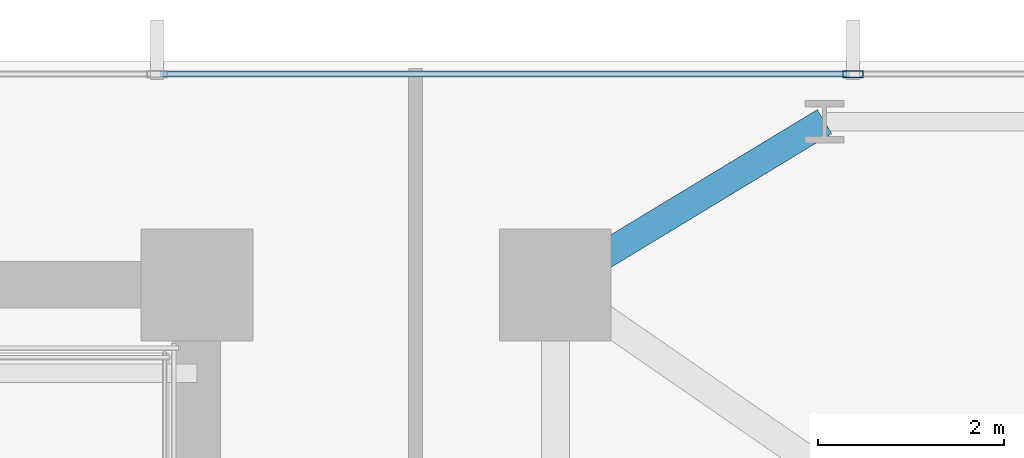
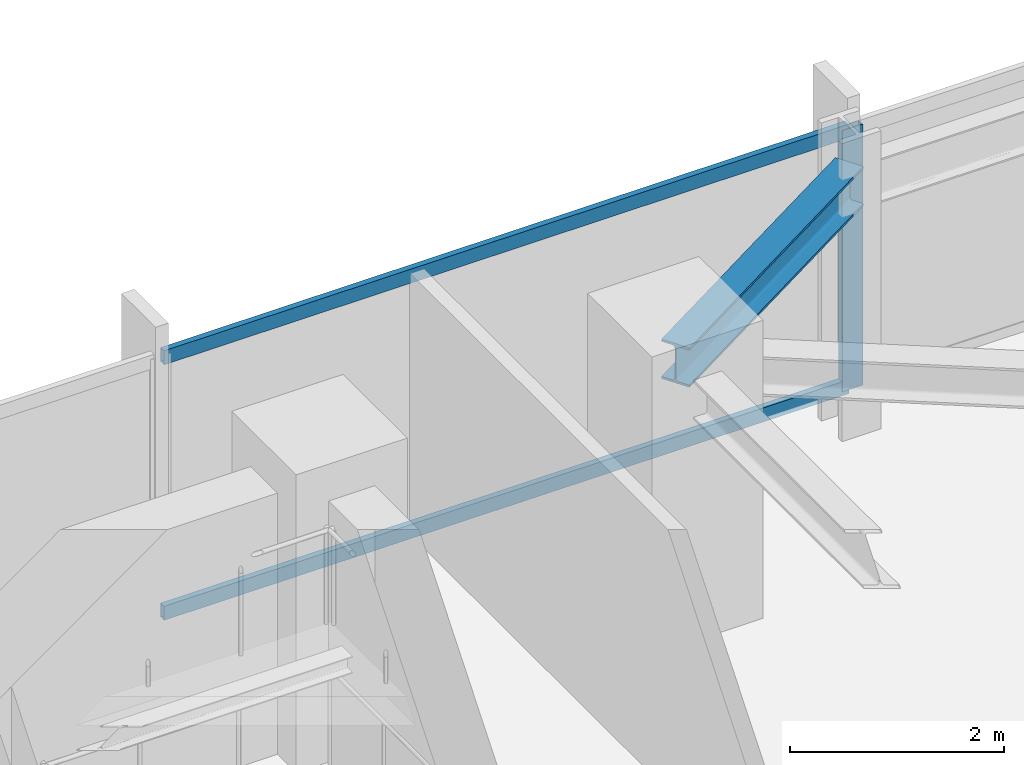
# One storey, part 20 of 32: 3 members, 1 beam, 1 element without a shape of its own.
"""IFC4 building model written with IfcOpenShell, lengths in metres."""

import ifcopenshell
import ifcopenshell.guid

model = None  # the IFC model being written
_history = None  # IfcOwnerHistory: only IFC2X3 demands one
_inside = {}  # id of a spatial element -> (the spatial element, [elements in it])
_under = {}  # id of a project, library or spatial element -> (it, [spatial elements below it])
_declared = {}  # id of a project -> (the project, [libraries it declares])
_typed = {}  # id of a type object -> (the type object, [elements of that type])
_made_of = {}  # id of a material, layer set ... -> (it, [elements and type objects made of it])


def new_model(schema):
    """Start an empty IFC model of exactly this schema.

    Asked for "IFC4X3", IfcOpenShell would pick the latest addendum, in which some entities
    have other attributes; the version numbers below select the first issue.
    IFC2X3 requires an IfcOwnerHistory on every rooted entity: one is made here for all.
    """
    global model, _history
    if schema == "IFC4X3":
        model = ifcopenshell.file(schema_version=(4, 3, 0, 0))
    else:
        model = ifcopenshell.file(schema=schema)
    _inside.clear()
    _under.clear()
    _declared.clear()
    _typed.clear()
    _made_of.clear()
    _history = None
    if model.schema == "IFC2X3":
        org = make("IfcOrganization", Name="unknown")
        user = make(
            "IfcPersonAndOrganization",
            ThePerson=make("IfcPerson", FamilyName="unknown"),
            TheOrganization=org,
        )
        app = make(
            "IfcApplication",
            ApplicationDeveloper=org,
            Version="unknown",
            ApplicationFullName="unknown",
            ApplicationIdentifier="unknown",
        )
        _history = make(
            "IfcOwnerHistory",
            OwningUser=user,
            OwningApplication=app,
            ChangeAction="ADDED",
            CreationDate=0,
        )
    return model


def make(cls, **values):
    """One entity of the class cls with the attributes given. An attribute that is None is left unset."""
    return model.create_entity(
        cls, **{name: value for name, value in values.items() if value is not None}
    )


def rooted(cls, **values):
    """An entity with a GlobalId (a new one), such as an element, a storey or a relation."""
    return make(cls, GlobalId=ifcopenshell.guid.new(), OwnerHistory=_history, **values)


def si_unit(unit_type, name, prefix=None):
    """IfcSIUnit, for example si_unit("LENGTHUNIT", "METRE", prefix="MILLI")."""
    return make("IfcSIUnit", UnitType=unit_type, Prefix=prefix, Name=name)


def assignment(units):
    """IfcUnitAssignment: the units of a project."""
    return None if units is None else make("IfcUnitAssignment", Units=units)


def point(xyz):
    """IfcCartesianPoint."""
    return None if xyz is None else make("IfcCartesianPoint", Coordinates=xyz)


def direction(xyz):
    """IfcDirection."""
    return None if xyz is None else make("IfcDirection", DirectionRatios=xyz)


def frame(location, z_axis=None, x_axis=None):
    """IfcAxis2Placement3D, a coordinate frame: its origin and axes. An axis left out is left unset."""
    return make(
        "IfcAxis2Placement3D",
        Location=point(location),
        Axis=direction(z_axis),
        RefDirection=direction(x_axis),
    )


def frame_2d(location, x_axis=None):
    """IfcAxis2Placement2D, a coordinate frame in the plane: its origin and x axis."""
    return make(
        "IfcAxis2Placement2D", Location=point(location), RefDirection=direction(x_axis)
    )


def origin():
    """The frame at (0, 0, 0) with its axes left unset."""
    return frame((0.0, 0.0, 0.0))


def origin_2d():
    """The frame at (0, 0) in the plane with its x axis left unset."""
    return frame_2d((0.0, 0.0))


def place(relative_to, where):
    """IfcLocalPlacement: puts the frame where relative to a parent placement (None: the world)."""
    return make(
        "IfcLocalPlacement", PlacementRelTo=relative_to, RelativePlacement=where
    )


def context(
    kind, dimensions, precision=None, world=None, true_north=None, identifier=None
):
    """IfcGeometricRepresentationContext, for example the 3D "Model" context."""
    return make(
        "IfcGeometricRepresentationContext",
        ContextIdentifier=identifier,
        ContextType=kind,
        CoordinateSpaceDimension=dimensions,
        Precision=precision,
        WorldCoordinateSystem=world,
        TrueNorth=true_north,
    )


def subcontext(parent, identifier, kind, view, scale=None):
    """IfcGeometricRepresentationSubContext, for example "Body" below "Model"."""
    return make(
        "IfcGeometricRepresentationSubContext",
        ContextIdentifier=identifier,
        ContextType=kind,
        ParentContext=parent,
        TargetScale=scale,
        TargetView=view,
    )


def project(units=None, contexts=None):
    """IfcProject with its units and contexts."""
    return rooted(
        "IfcProject",
        Name="project",
        RepresentationContexts=contexts,
        UnitsInContext=assignment(units),
    )


def spatial(cls, under=None, at=None, **own):
    """A site, building, storey or space (cls), placed at a placement, below another one or the project."""
    s = rooted(cls, ObjectPlacement=at, **own)
    if under is not None:
        _under.setdefault(under.id(), (under, []))[1].append(s)
    return s


def profile(cls, at=None, kind="AREA", **sizes):
    """A parametric profile (cls). Its sizes go by their IFC names, for example OverallWidth=200.0."""
    return make(cls, ProfileType=kind, Position=at, **sizes)


def hollow_rectangle(**sizes):
    """IfcRectangleHollowProfileDef."""
    return profile("IfcRectangleHollowProfileDef", **sizes)


def i_section(**sizes):
    """IfcIShapeProfileDef."""
    return profile("IfcIShapeProfileDef", **sizes)


def extrude(swept, where, along, depth):
    """IfcExtrudedAreaSolid: the profile swept, set in the frame where, extruded along a direction by depth."""
    return make(
        "IfcExtrudedAreaSolid",
        SweptArea=swept,
        Position=where,
        ExtrudedDirection=direction(along),
        Depth=depth,
    )


def shape(context_of_items, identifier, shape_type, items):
    """IfcShapeRepresentation: the items that make up one representation, for example the "Body"."""
    return make(
        "IfcShapeRepresentation",
        ContextOfItems=context_of_items,
        RepresentationIdentifier=identifier,
        RepresentationType=shape_type,
        Items=items,
    )


def material(Name=None, Category=None):
    """IfcMaterial."""
    return make("IfcMaterial", Name=Name, Category=Category)


def material_profile(
    of_material, cross_section, Name=None, Category=None, Priority=None
):
    """IfcMaterialProfile: a cross section and its material."""
    return make(
        "IfcMaterialProfile",
        Name=Name,
        Material=of_material,
        Profile=cross_section,
        Priority=Priority,
        Category=Category,
    )


def profile_set(profiles, Name=None, composite=None):
    """IfcMaterialProfileSet."""
    return make(
        "IfcMaterialProfileSet",
        Name=Name,
        MaterialProfiles=profiles,
        CompositeProfile=composite,
    )


def made_of(thing, what):
    """Note that an element or type object is made of a material, layer set ...; save() writes the relation."""
    if what is not None:
        _made_of.setdefault(what.id(), (what, []))[1].append(thing)
    return thing


def type_object(cls, material=None, **own):
    """A type object (cls), such as IfcWallType, which elements share."""
    return made_of(rooted(cls, **own), material)


def element(
    cls,
    number,
    at=None,
    inside=None,
    cuts=None,
    type_object=None,
    material=None,
    context=None,
    identifier="Body",
    shape_type=None,
    held_by="IfcProductDefinitionShape",
    body=None,
    shapes=None,
    **own,
):
    """One element of the class cls, such as IfcWall. Its Tag is "e" and its number.

    at: its placement. inside: the storey or other place that contains it. cuts: it is an
    opening in that element (IfcRelVoidsElement). A single representation is given by context,
    identifier, shape_type and body (its items); several are given by shapes. held_by: the class
    of the entity that holds the representations. save() writes the other relations.
    """
    e = rooted(cls, Tag="e%d" % number, ObjectPlacement=at, **own)
    if body is not None:
        shapes = [shape(context, identifier, shape_type, body)]
    if shapes is not None:
        e.Representation = make(held_by, Representations=shapes)
    if inside is not None:
        _inside.setdefault(inside.id(), (inside, []))[1].append(e)
    if cuts is not None:
        rooted(
            "IfcRelVoidsElement", RelatingBuildingElement=cuts, RelatedOpeningElement=e
        )
    if type_object is not None:
        _typed.setdefault(type_object.id(), (type_object, []))[1].append(e)
    return made_of(e, material)


def aggregate(whole, parts):
    """IfcRelAggregates: a whole, such as a stair, and the parts it consists of."""
    return rooted("IfcRelAggregates", RelatingObject=whole, RelatedObjects=parts)


def save(model, path):
    """Write the relations noted so far, then the file.

    IfcRelAggregates (storeys below a building ...), IfcRelContainedInSpatialStructure (elements
    in a storey), IfcRelDefinesByType, IfcRelAssociatesMaterial and IfcRelDeclares: one each for
    every whole, place, type object, material and project.
    """
    for whole, parts in _under.values():
        aggregate(whole, parts)
    for where, things in _inside.values():
        rooted(
            "IfcRelContainedInSpatialStructure",
            RelatedElements=things,
            RelatingStructure=where,
        )
    for kind, things in _typed.values():
        rooted("IfcRelDefinesByType", RelatedObjects=things, RelatingType=kind)
    for what, things in _made_of.values():
        rooted("IfcRelAssociatesMaterial", RelatedObjects=things, RelatingMaterial=what)
    for by, libraries in _declared.values():
        rooted("IfcRelDeclares", RelatingContext=by, RelatedDefinitions=libraries)
    model.write(path)


model = new_model("IFC4")

# Units and contexts
model_context = context("Model", 3, precision=1e-05, world=origin(), true_north=direction((0.0, 1.0)))
body_context = subcontext(model_context, "Body", "Model", "MODEL_VIEW")
ifc_project = project(units=[si_unit("LENGTHUNIT", "METRE"), si_unit("AREAUNIT", "SQUARE_METRE"), si_unit("VOLUMEUNIT", "CUBIC_METRE"), si_unit("PLANEANGLEUNIT", "RADIAN"), si_unit("MASSUNIT", "GRAM", prefix="KILO")], contexts=[model_context])

# Site, building, storey
site_placement = place(None, origin())
site = spatial("IfcSite", under=ifc_project, at=site_placement, CompositionType="ELEMENT")
building_placement = place(site_placement, origin())
building = spatial("IfcBuilding", under=site, at=building_placement, Name="Yelkora Congress Tower", CompositionType="ELEMENT")
storey_placement = place(building_placement, frame((0.0, 0.0, 74.60009765625)))
storey = spatial("IfcBuildingStorey", under=building, at=storey_placement, Name="L19", CompositionType="ELEMENT", Elevation=74.60009765625)

# Beam
ifc_material_1 = material(Name="Steel S355J2", Category="steel")
ifc_material_profile_1 = material_profile(ifc_material_1, i_section(OverallWidth=0.300048828125, OverallDepth=0.449951171875, WebThickness=0.013916015625, FlangeThickness=0.02587890625, FilletRadius=0.027099609375, at=origin_2d()), Name="HEB 450")
ifc_profile_set_1 = profile_set([ifc_material_profile_1], Name="Steel S355J2")
beam_type = type_object("IfcBeamType", Name="BM-GIRD-HEB450", PredefinedType="BEAM", material=ifc_profile_set_1)
beam_placement = place(storey_placement, frame((60.487548828125, 47.949951171875, 2.7548828125), z_axis=(-0.855193946581, -0.518308126244, 0.0), x_axis=(0.518308126244, -0.855193946581, 0.0)))
element("IfcBeam", 1, at=beam_placement, inside=storey, type_object=beam_type, Name="L19 Primary Frame Girder N08", PredefinedType="BEAM", context=body_context, shape_type="SweptSolid", body=[
    extrude(i_section(OverallWidth=0.300048828125, OverallDepth=0.449951171875, WebThickness=0.013916015625, FlangeThickness=0.02587890625, FilletRadius=0.027099609375, at=origin_2d()), origin(), (0.0, 0.0, 1.0), 3.37646484375),
])

# Curtain wall, members
ifc_material_2 = material(Name="Anodised aluminium and insulated glass", Category="aluminium")
curtain_wall_type = type_object("IfcCurtainWallType", Name="CW-SYS-B1", PredefinedType="NOTDEFINED", material=ifc_material_2)
curtain_wall_placement = place(storey_placement, origin())
curtain_wall = element("IfcCurtainWall", 2, at=curtain_wall_placement, inside=storey, type_object=curtain_wall_type, Name="L19 Unitised Curtain Wall 10", PredefinedType="NOTDEFINED")
ifc_material_3 = material(Name="Anodised aluminium 6063-T6", Category="aluminium")
ifc_material_profile_2 = material_profile(ifc_material_3, hollow_rectangle(XDim=0.074951171875, YDim=0.219970703125, WallThickness=0.0048828125, at=origin_2d()), Name="ALU 75x220x5")
ifc_profile_set_2 = profile_set([ifc_material_profile_2], Name="Anodised aluminium 6063-T6")
member_type_1 = type_object("IfcMemberType", Name="MEM-ML-B1", PredefinedType="MULLION", material=ifc_profile_set_2)
member_1_placement = place(storey_placement, frame((60.794921875, 48.4599609375, 0.0), z_axis=(0.0, 0.0, 1.0), x_axis=(0.0, 1.0, 0.0)))
member_1 = element("IfcMember", 3, at=member_1_placement, type_object=member_type_1, Name="CW-B1 mullion 8", PredefinedType="MULLION", context=body_context, shape_type="SweptSolid", body=[
    extrude(hollow_rectangle(XDim=0.074951171875, YDim=0.219970703125, WallThickness=0.0048828125, at=origin_2d()), origin(), (0.0, 0.0, 1.0), 2.97998046875),
])
ifc_material_profile_3 = material_profile(ifc_material_3, hollow_rectangle(XDim=0.06494140625, YDim=0.159912109375, WallThickness=0.00390625, at=origin_2d()), Name="ALU 65x160x4")
ifc_profile_set_3 = profile_set([ifc_material_profile_3], Name="Anodised aluminium 6063-T6")
member_type_2 = type_object("IfcMemberType", Name="MEM-TR-B1", PredefinedType="USERDEFINED", material=ifc_profile_set_3)
member_2_placement = place(storey_placement, frame((53.367431640625, 48.4599609375, 0.032470703125), z_axis=(1.0, 0.0, 0.0), x_axis=(0.0, 1.0, 0.0)))
member_2 = element("IfcMember", 4, at=member_2_placement, type_object=member_type_2, Name="CW-B1 transom 7.1", ObjectType="TRANSOM", PredefinedType="USERDEFINED", context=body_context, shape_type="SweptSolid", body=[
    extrude(hollow_rectangle(XDim=0.06494140625, YDim=0.159912109375, WallThickness=0.00390625, at=origin_2d()), origin(), (0.0, 0.0, 1.0), 7.39013671875),
])
member_3_placement = place(storey_placement, frame((53.367431640625, 48.4599609375, 2.947509765625), z_axis=(1.0, 0.0, 0.0), x_axis=(0.0, 1.0, 0.0)))
member_3 = element("IfcMember", 5, at=member_3_placement, type_object=member_type_2, Name="CW-B1 transom 7.2", ObjectType="TRANSOM", PredefinedType="USERDEFINED", context=body_context, shape_type="SweptSolid", body=[
    extrude(hollow_rectangle(XDim=0.06494140625, YDim=0.159912109375, WallThickness=0.00390625, at=origin_2d()), origin(), (0.0, 0.0, 1.0), 7.39013671875),
])
aggregate(curtain_wall, [member_1, member_2, member_3])

save(model, "model.ifc")
